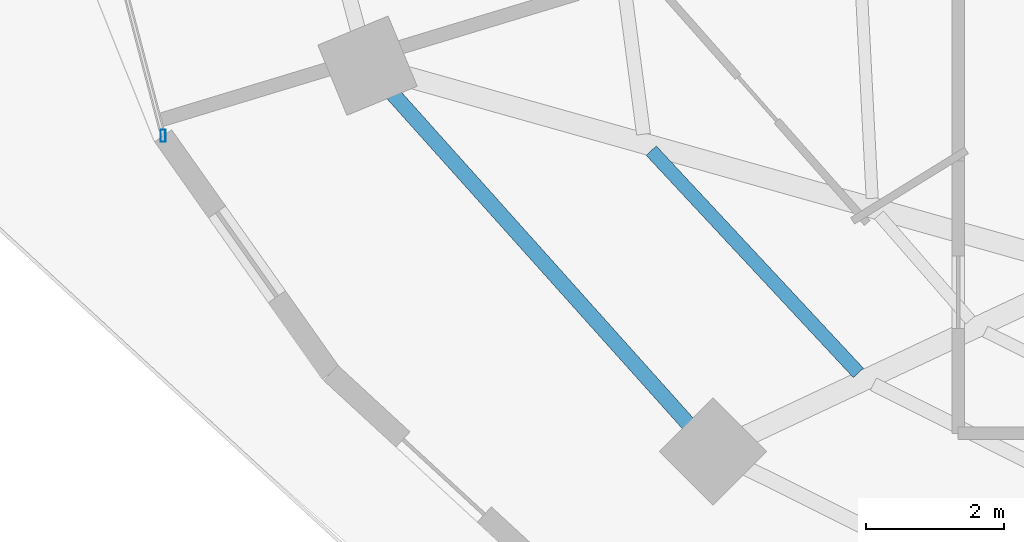
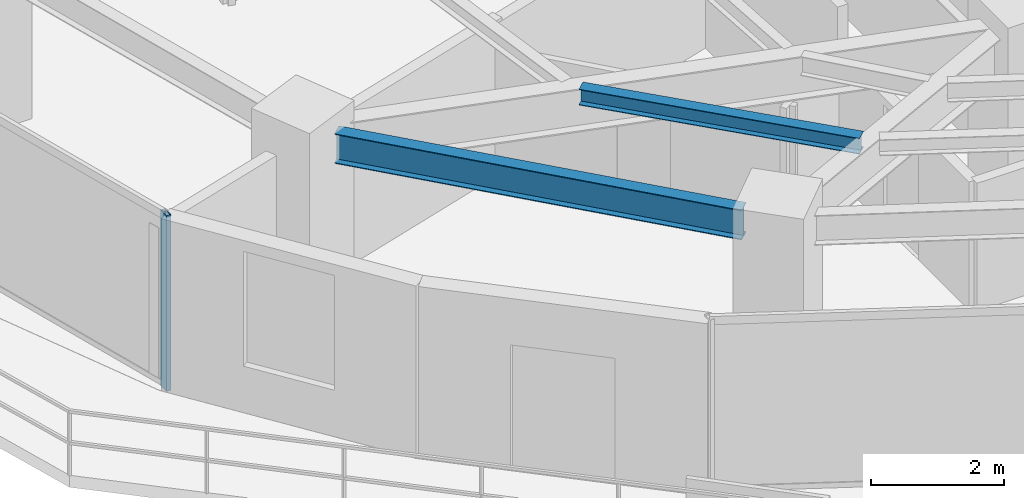
# One storey, part 3 of 29: 2 beams, 1 member, 1 element without a shape of its own.
"""IFC4 building model written with IfcOpenShell, lengths in metres."""

from ifc_helpers import new_model, si_unit, direction, frame, origin, origin_2d, place, context, subcontext, project, spatial, hollow_rectangle, i_section, extrude, material, material_profile, profile_set, type_object, element, aggregate, save


model = new_model("IFC4")

# Units and contexts
model_context = context("Model", 3, precision=1e-05, world=origin(), true_north=direction((0.0, 1.0)))
body_context = subcontext(model_context, "Body", "Model", "MODEL_VIEW")
ifc_project = project(units=[si_unit("LENGTHUNIT", "METRE"), si_unit("AREAUNIT", "SQUARE_METRE"), si_unit("VOLUMEUNIT", "CUBIC_METRE"), si_unit("PLANEANGLEUNIT", "RADIAN"), si_unit("MASSUNIT", "GRAM", prefix="KILO")], contexts=[model_context])

# Site, building, storey
site_placement = place(None, origin())
site = spatial("IfcSite", under=ifc_project, at=site_placement, CompositionType="ELEMENT")
building_placement = place(site_placement, origin())
building = spatial("IfcBuilding", under=site, at=building_placement, Name="Vorneva Point Tower", CompositionType="ELEMENT")
storey_placement = place(building_placement, frame((0.0, 0.0, 120.800048828125)))
storey = spatial("IfcBuildingStorey", under=building, at=storey_placement, Name="L32", CompositionType="ELEMENT", Elevation=120.800048828125)

# Beams
ifc_material_1 = material(Name="Steel S355", Category="steel")
ifc_material_profile_1 = material_profile(ifc_material_1, i_section(OverallWidth=0.199951171875, OverallDepth=0.291015625, WebThickness=0.008056640625, FlangeThickness=0.010986328125, at=origin_2d()), Name="30Sh1")
ifc_profile_set_1 = profile_set([ifc_material_profile_1], Name="Steel S355")
beam_type_1 = type_object("IfcBeamType", Name="BM-SEC-30Sh1", PredefinedType="BEAM", material=ifc_profile_set_1)
beam_1_placement = place(storey_placement, frame((20.80859375, 18.1884765625, 3.00439453125), z_axis=(0.681868844323, -0.731474455564, 0.0), x_axis=(0.731474455564, 0.681868844323, 0.0)))
element("IfcBeam", 1, at=beam_1_placement, inside=storey, type_object=beam_type_1, Name="L32 Secondary Floor Beam 1.10", PredefinedType="BEAM", context=body_context, shape_type="SweptSolid", body=[
    extrude(i_section(OverallWidth=0.199951171875, OverallDepth=0.291015625, WebThickness=0.008056640625, FlangeThickness=0.010986328125, at=origin_2d()), origin(), (0.0, 0.0, 1.0), 4.39501953125),
])
ifc_material_profile_2 = material_profile(ifc_material_1, i_section(OverallWidth=0.219970703125, OverallDepth=0.54296875, WebThickness=0.009521484375, FlangeThickness=0.013427734375, at=origin_2d()), Name="55B1")
ifc_profile_set_2 = profile_set([ifc_material_profile_2], Name="Steel S355")
beam_type_2 = type_object("IfcBeamType", Name="BM-SPN-55B1", PredefinedType="SPANDREL", material=ifc_profile_set_2)
beam_2_placement = place(storey_placement, frame((17.0615234375, 19.019287109375, 2.87841796875), z_axis=(0.667073815664, -0.744991627105, 0.0), x_axis=(0.744991627105, 0.667073815664, 0.0)))
element("IfcBeam", 2, at=beam_2_placement, inside=storey, type_object=beam_type_2, Name="L32 Perimeter Spandrel Ring Beam 10", PredefinedType="SPANDREL", context=body_context, shape_type="SweptSolid", body=[
    extrude(i_section(OverallWidth=0.219970703125, OverallDepth=0.54296875, WebThickness=0.009521484375, FlangeThickness=0.013427734375, at=origin_2d()), origin(), (0.0, 0.0, 1.0), 6.420166015625),
])

# Curtain wall, member
ifc_material_2 = material(Name="Pale anodised aluminium", Category="aluminium")
curtain_wall_type = type_object("IfcCurtainWallType", Name="CW-HTL-SYS", PredefinedType="NOTDEFINED", material=ifc_material_2)
curtain_wall_placement = place(storey_placement, origin())
curtain_wall = element("IfcCurtainWall", 3, at=curtain_wall_placement, inside=storey, type_object=curtain_wall_type, Name="L32 Unitised Curtain Wall CW-L32-R02", PredefinedType="NOTDEFINED")
ifc_material_profile_3 = material_profile(ifc_material_2, hollow_rectangle(XDim=0.074951171875, YDim=0.179931640625, WallThickness=0.00390625, at=origin_2d()), Name="AL-MUL 180x75x4")
ifc_profile_set_3 = profile_set([ifc_material_profile_3], Name="Pale anodised aluminium")
member_type = type_object("IfcMemberType", Name="CW-MUL-180", PredefinedType="MULLION", material=ifc_profile_set_3)
member_placement = place(storey_placement, frame((13.748291015625, 18.40380859375, -0.0400390625), z_axis=(0.0, 0.0, 1.0), x_axis=(1.0, 0.0, 0.0)))
member = element("IfcMember", 4, at=member_placement, type_object=member_type, Name="CW-L32-R02 Mullion 04", PredefinedType="MULLION", context=body_context, shape_type="SweptSolid", body=[
    extrude(hollow_rectangle(XDim=0.074951171875, YDim=0.179931640625, WallThickness=0.00390625, at=origin_2d()), origin(), (0.0, 0.0, 1.0), 3.219970703125),
])
aggregate(curtain_wall, [member])

save(model, "model.ifc")
